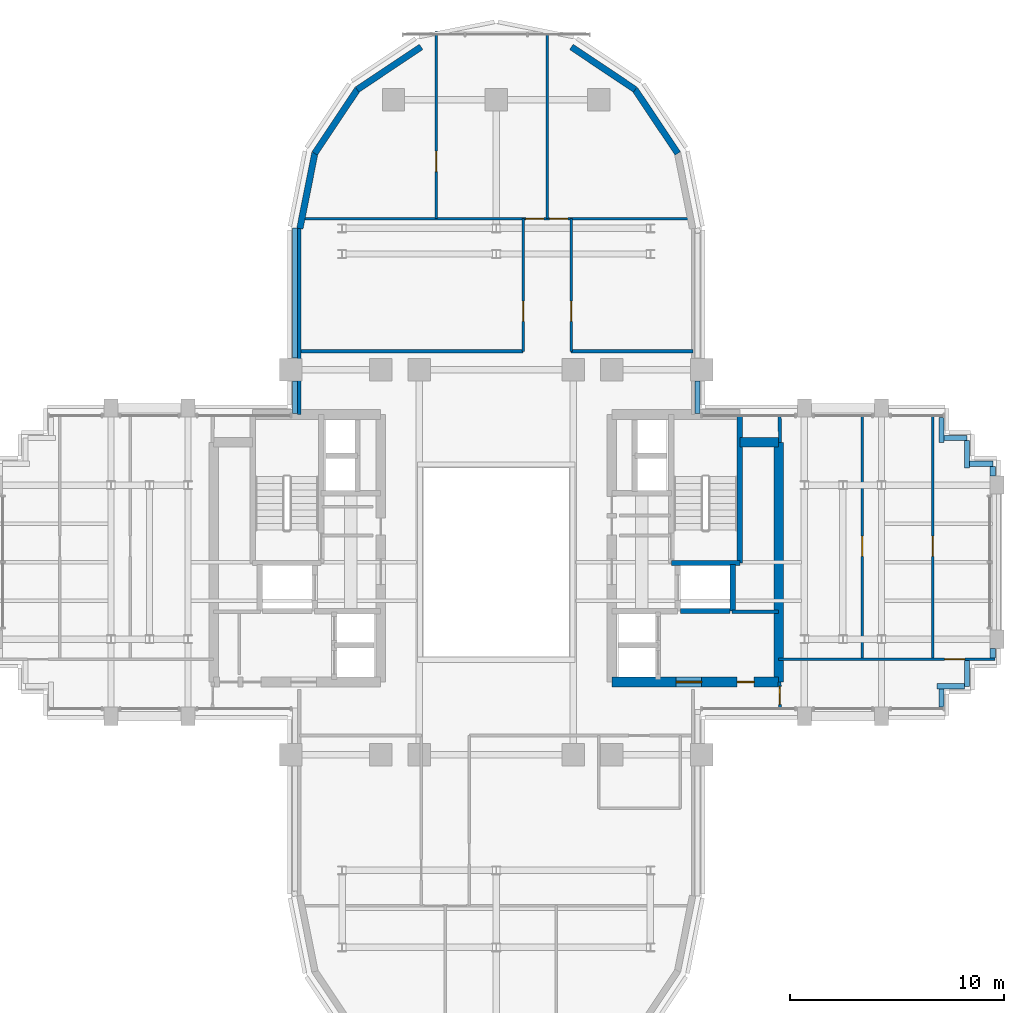
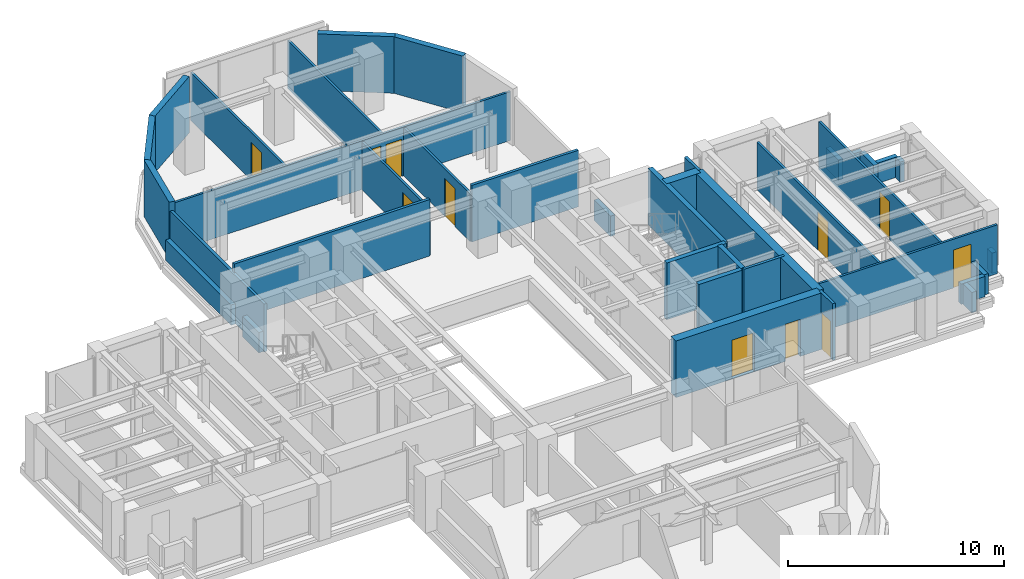
# One storey, part 10 of 14: 38 walls, 11 doors, 11 openings.
"""IFC4 building model written with IfcOpenShell, lengths in metres."""

from ifc_helpers import new_model, si_unit, direction, frame, frame_2d, origin, place, context, subcontext, project, spatial, rectangle, extrude, source, transform, mapped, material, layer, layer_set, type_object, element, fill, save


model = new_model("IFC4")

# Units and contexts
model_context = context("Model", 3, precision=1e-05, world=origin(), true_north=direction((0.0, 1.0)))
body_context = subcontext(model_context, "Body", "Model", "MODEL_VIEW")
ifc_project = project(units=[si_unit("LENGTHUNIT", "METRE"), si_unit("AREAUNIT", "SQUARE_METRE"), si_unit("VOLUMEUNIT", "CUBIC_METRE"), si_unit("PLANEANGLEUNIT", "RADIAN"), si_unit("MASSUNIT", "GRAM", prefix="KILO")], contexts=[model_context])

# Site, building, storey
site_placement = place(None, origin())
site = spatial("IfcSite", under=ifc_project, at=site_placement, CompositionType="ELEMENT")
building_placement = place(site_placement, origin())
building = spatial("IfcBuilding", under=site, at=building_placement, Name="Keilestroom Media Tower", CompositionType="ELEMENT")
storey_placement = place(building_placement, frame((0.0, 0.0, 124.39990234375)))
storey = spatial("IfcBuildingStorey", under=building, at=storey_placement, Name="L33", CompositionType="ELEMENT", Elevation=124.39990234375)

# Walls
ifc_material_1 = material(Name="Precast concrete C40/50", Category="concrete")
ifc_layer_1 = layer(ifc_material_1, 0.300048828125)
ifc_layer_set_1 = layer_set([ifc_layer_1], Name="Precast concrete C40/50")
wall_type_1 = type_object("IfcWallType", Name="Exterior-Masonry-Spandrel-Wall-300", PredefinedType="SOLIDWALL", material=ifc_layer_set_1)
wall_1_placement = place(storey_placement, frame((8.48193359375, 19.097412109375, 0.0), z_axis=(0.0, 0.0, 1.0), x_axis=(-0.555574187116, 0.831466970246, 0.0)))
element("IfcWall", 1, at=wall_1_placement, inside=storey, type_object=wall_type_1, Name="L33 Lobe Facet Precast Frame Wall 02", PredefinedType="SOLIDWALL", context=body_context, shape_type="SweptSolid", body=[
    extrude(rectangle(XDim=3.608642578125, YDim=0.300048828125, at=frame_2d((1.80419921875, 0.0))), origin(), (0.0, 0.0, 1.0), 3.2001953125),
])
for number, where, z_axis, x_axis, name in (
    (2, (6.497802734375, 22.0771484375, 0.0), (0.0, 0.0, 1.0), (-0.8314749531, 0.555562239868, 0.0), "L33 Lobe Facet Precast Frame Wall 03"),
    (3, (-3.510009765625, 24.073486328125, 0.0), (0.0, 0.0, 1.0), (-0.8314749531, -0.555562239868, 0.0), "L33 Lobe Facet Precast Frame Wall 04"),
):
    element("IfcWall", number, at=place(storey_placement, frame(where, z_axis=z_axis, x_axis=x_axis)), inside=storey, type_object=wall_type_1, Name=name, PredefinedType="SOLIDWALL", context=body_context, shape_type="SweptSolid", body=[
        extrude(rectangle(XDim=3.59326171875, YDim=0.300048828125, at=frame_2d((1.796630859375, 0.0))), origin(), (0.0, 0.0, 1.0), 3.2001953125),
    ])
for number, where, z_axis, x_axis, name in (
    (4, (-6.47705078125, 22.097900390625, 0.0), (0.0, 0.0, 1.0), (-0.555574187116, -0.831466970246, 0.0), "L33 Lobe Facet Precast Frame Wall 05"),
    (5, (-8.470703125, 19.12451171875, 0.0), (0.0, 0.0, 1.0), (-0.195114232679, -0.980780523974, 0.0), "L33 Lobe Facet Precast Frame Wall 06"),
):
    element("IfcWall", number, at=place(storey_placement, frame(where, z_axis=z_axis, x_axis=x_axis)), inside=storey, type_object=wall_type_1, Name=name, PredefinedType="SOLIDWALL", context=body_context, shape_type="SweptSolid", body=[
        extrude(rectangle(XDim=3.608642578125, YDim=0.300048828125, at=frame_2d((1.80419921875, 0.0))), origin(), (0.0, 0.0, 1.0), 3.2001953125),
    ])

# Wall, opening, door
ifc_material_2 = material(Name="Gypsum Plasterboard & Steel Stud", Category="steel")
ifc_layer_2 = layer(ifc_material_2, 0.1201171875)
ifc_layer_set_2 = layer_set([ifc_layer_2], Name="Gypsum Plasterboard & Steel Stud")
wall_type_2 = type_object("IfcWallType", Name="Interior-Partition-Wall-120", PredefinedType="PARTITIONING", material=ifc_layer_set_2)
wall_2_placement = place(storey_placement, frame((1.260009765625, 9.85009765625, 0.0), z_axis=(0.0, 0.0, 1.0), x_axis=(0.0, 1.0, 0.0)))
wall_2 = element("IfcWall", 6, at=wall_2_placement, inside=storey, type_object=wall_type_2, Name="L33 Interior Wall WP-L33-NL-SPW", PredefinedType="PARTITIONING", context=body_context, shape_type="SweptSolid", body=[
    extrude(rectangle(XDim=6.199951171875, YDim=0.1201171875, at=frame_2d((3.10009765625, 0.0))), origin(), (0.0, 0.0, 1.0), 2.7001953125),
])
opening_1_placement = place(wall_2_placement, frame((1.39990234375, 0.0, 0.0)))
opening_1 = element("IfcOpeningElement", 7, at=opening_1_placement, cuts=wall_2, Name="Opening DI-03", PredefinedType="OPENING", context=body_context, shape_type="SweptSolid", body=[
    extrude(rectangle(XDim=0.949951171875, YDim=2.14990234375, at=frame_2d((0.47509765625, 1.074951171875))), frame((0.0, 0.070068359375, 0.0), z_axis=(0.0, -1.0, 0.0), x_axis=(1.0, 0.0, 0.0)), (0.0, 0.0, 1.0), 0.14013671875),
])
ifc_material_3 = material(Name="Lacquered European Oak Leaf", Category="wood")
door_type_1 = type_object("IfcDoorType", Name="Interior-Room-And-Suite-Door-DI-03", OperationType="NOTDEFINED", PredefinedType="DOOR", material=ifc_material_3)
shared_shape_1 = source(origin(), body_context, "Body", "SweptSolid", [
    extrude(rectangle(XDim=0.949951171875, YDim=2.14990234375, at=frame_2d((0.47509765625, 1.074951171875))), frame((0.0, 0.02490234375, 0.0), z_axis=(0.0, -1.0, 0.0), x_axis=(1.0, 0.0, 0.0)), (0.0, 0.0, 1.0), 0.050048828125),
])
door_1_placement = place(opening_1_placement, origin())
door_1 = element("IfcDoor", 8, at=door_1_placement, inside=storey, type_object=door_type_1, Name="L33 Interior Door DI-L33-DNL-W1", OperationType="SINGLE_SWING_RIGHT", OverallHeight=2.14990234375, OverallWidth=0.949951171875, PredefinedType="DOOR", context=body_context, shape_type="MappedRepresentation", body=[
    mapped(shared_shape_1, transform((0.0, 0.0, 0.0), x_axis=(1.0, 0.0, 0.0), y_axis=(0.0, 1.0, 0.0), z_axis=(0.0, 0.0, 1.0), scale=1.0)),
])
fill(opening_1, door_1)

wall_3_placement = place(storey_placement, frame((3.5, 9.85009765625, 0.0), z_axis=(0.0, 0.0, 1.0), x_axis=(0.0, 1.0, 0.0)))
wall_3 = element("IfcWall", 9, at=wall_3_placement, inside=storey, type_object=wall_type_2, Name="L33 Interior Wall WP-L33-NL-SPE", PredefinedType="PARTITIONING", context=body_context, shape_type="SweptSolid", body=[
    extrude(rectangle(XDim=6.199951171875, YDim=0.1201171875, at=frame_2d((3.10009765625, 0.0))), origin(), (0.0, 0.0, 1.0), 2.7001953125),
])
opening_2_placement = place(wall_3_placement, frame((1.39990234375, 0.0, 0.0)))
opening_2 = element("IfcOpeningElement", 10, at=opening_2_placement, cuts=wall_3, Name="Opening DI-03", PredefinedType="OPENING", context=body_context, shape_type="SweptSolid", body=[
    extrude(rectangle(XDim=0.949951171875, YDim=2.14990234375, at=frame_2d((0.47509765625, 1.074951171875))), frame((0.0, 0.070068359375, 0.0), z_axis=(0.0, -1.0, 0.0), x_axis=(1.0, 0.0, 0.0)), (0.0, 0.0, 1.0), 0.14013671875),
])
door_2_placement = place(opening_2_placement, origin())
door_2 = element("IfcDoor", 11, at=door_2_placement, inside=storey, type_object=door_type_1, Name="L33 Interior Door DI-L33-DNL-E1", OperationType="SINGLE_SWING_LEFT", OverallHeight=2.14990234375, OverallWidth=0.949951171875, PredefinedType="DOOR", context=body_context, shape_type="MappedRepresentation", body=[
    mapped(shared_shape_1, transform((0.0, 0.0, 0.0), x_axis=(1.0, 0.0, 0.0), y_axis=(0.0, 1.0, 0.0), z_axis=(0.0, 0.0, 1.0), scale=1.0)),
])
fill(opening_2, door_2)

# Wall, openings, doors
wall_4_placement = place(storey_placement, frame((-9.159912109375, 16.050048828125, 0.0), z_axis=(0.0, 0.0, 1.0), x_axis=(1.0, 0.0, 0.0)))
wall_4 = element("IfcWall", 12, at=wall_4_placement, inside=storey, type_object=wall_type_2, Name="L33 Interior Wall WP-L33-NL-NTIPW", PredefinedType="PARTITIONING", context=body_context, shape_type="SweptSolid", body=[
    extrude(rectangle(XDim=18.31982421875, YDim=0.1201171875, at=frame_2d((9.159912109375, 0.0))), origin(), (0.0, 0.0, 1.0), 2.760009765625),
])
opening_3_placement = place(wall_4_placement, frame((10.5400390625, 0.0, 0.0)))
opening_3 = element("IfcOpeningElement", 13, at=opening_3_placement, cuts=wall_4, Name="Opening DI-05", PredefinedType="OPENING", context=body_context, shape_type="SweptSolid", body=[
    extrude(rectangle(XDim=0.85009765625, YDim=2.10009765625, at=frame_2d((0.425048828125, 1.050048828125))), frame((0.0, 0.070068359375, 0.0), z_axis=(0.0, -1.0, 0.0), x_axis=(1.0, 0.0, 0.0)), (0.0, 0.0, 1.0), 0.14013671875),
])
opening_4_placement = place(wall_4_placement, frame((11.659912109375, 0.0, 0.0)))
opening_4 = element("IfcOpeningElement", 14, at=opening_4_placement, cuts=wall_4, Name="Opening DI-05", PredefinedType="OPENING", context=body_context, shape_type="SweptSolid", body=[
    extrude(rectangle(XDim=0.85009765625, YDim=2.10009765625, at=frame_2d((0.425048828125, 1.050048828125))), frame((0.0, 0.070068359375, 0.0), z_axis=(0.0, -1.0, 0.0), x_axis=(1.0, 0.0, 0.0)), (0.0, 0.0, 1.0), 0.14013671875),
])
ifc_material_4 = material(Name="Moisture-Resistant Oak Leaf", Category="wood")
door_type_2 = type_object("IfcDoorType", Name="Interior-En-Suite-And-Cupboard-Door-DI-05", OperationType="NOTDEFINED", PredefinedType="DOOR", material=ifc_material_4)
shared_shape_2 = source(origin(), body_context, "Body", "SweptSolid", [
    extrude(rectangle(XDim=0.85009765625, YDim=2.10009765625, at=frame_2d((0.425048828125, 1.050048828125))), frame((0.0, 0.02490234375, 0.0), z_axis=(0.0, -1.0, 0.0), x_axis=(1.0, 0.0, 0.0)), (0.0, 0.0, 1.0), 0.050048828125),
])
door_3_placement = place(opening_3_placement, origin())
door_3 = element("IfcDoor", 15, at=door_3_placement, inside=storey, type_object=door_type_2, Name="L33 Interior Door DI-L33-DNL-TIP2", OperationType="SINGLE_SWING_LEFT", OverallHeight=2.10009765625, OverallWidth=0.85009765625, PredefinedType="DOOR", context=body_context, shape_type="MappedRepresentation", body=[
    mapped(shared_shape_2, transform((0.0, 0.0, 0.0), x_axis=(1.0, 0.0, 0.0), y_axis=(0.0, 1.0, 0.0), z_axis=(0.0, 0.0, 1.0), scale=1.0)),
])
fill(opening_3, door_3)
door_4_placement = place(opening_4_placement, origin())
door_4 = element("IfcDoor", 16, at=door_4_placement, inside=storey, type_object=door_type_2, Name="L33 Interior Door DI-L33-DNL-TIP3", OperationType="SINGLE_SWING_RIGHT", OverallHeight=2.10009765625, OverallWidth=0.85009765625, PredefinedType="DOOR", context=body_context, shape_type="MappedRepresentation", body=[
    mapped(shared_shape_2, transform((0.0, 0.0, 0.0), x_axis=(1.0, 0.0, 0.0), y_axis=(0.0, 1.0, 0.0), z_axis=(0.0, 0.0, 1.0), scale=1.0)),
])
fill(opening_4, door_4)

# Wall, opening, door
wall_5_placement = place(storey_placement, frame((-2.800048828125, 16.050048828125, 0.0), z_axis=(0.0, 0.0, 1.0), x_axis=(0.0, 1.0, 0.0)))
wall_5 = element("IfcWall", 17, at=wall_5_placement, inside=storey, type_object=wall_type_2, Name="L33 Interior Wall WP-L33-NL-TV1", PredefinedType="PARTITIONING", context=body_context, shape_type="SweptSolid", body=[
    extrude(rectangle(XDim=8.77001953125, YDim=0.1201171875, at=frame_2d((4.385009765625, 0.0))), origin(), (0.0, 0.0, 1.0), 2.7001953125),
])
opening_5_placement = place(wall_5_placement, frame((2.199951171875, 0.0, 0.0)))
opening_5 = element("IfcOpeningElement", 18, at=opening_5_placement, cuts=wall_5, Name="Opening DI-03", PredefinedType="OPENING", context=body_context, shape_type="SweptSolid", body=[
    extrude(rectangle(XDim=0.949951171875, YDim=2.14990234375, at=frame_2d((0.47509765625, 1.074951171875))), frame((0.0, 0.070068359375, 0.0), z_axis=(0.0, -1.0, 0.0), x_axis=(1.0, 0.0, 0.0)), (0.0, 0.0, 1.0), 0.14013671875),
])
door_5_placement = place(opening_5_placement, origin())
door_5 = element("IfcDoor", 19, at=door_5_placement, inside=storey, type_object=door_type_1, Name="L33 Interior Door DI-L33-DNL-TIP1", OperationType="SINGLE_SWING_LEFT", OverallHeight=2.14990234375, OverallWidth=0.949951171875, PredefinedType="DOOR", context=body_context, shape_type="MappedRepresentation", body=[
    mapped(shared_shape_1, transform((0.0, 0.0, 0.0), x_axis=(1.0, 0.0, 0.0), y_axis=(0.0, 1.0, 0.0), z_axis=(0.0, 0.0, 1.0), scale=1.0)),
])
fill(opening_5, door_5)

# Wall
wall_6_placement = place(storey_placement, frame((2.3798828125, 16.050048828125, 0.0), z_axis=(0.0, 0.0, 1.0), x_axis=(0.0, 1.0, 0.0)))
element("IfcWall", 20, at=wall_6_placement, inside=storey, type_object=wall_type_2, Name="L33 Interior Wall WP-L33-NL-TV2", PredefinedType="PARTITIONING", context=body_context, shape_type="SweptSolid", body=[
    extrude(rectangle(XDim=8.77001953125, YDim=0.1201171875, at=frame_2d((4.385009765625, 0.0))), origin(), (0.0, 0.0, 1.0), 2.7001953125),
])

# Wall, opening, door
wall_7_placement = place(storey_placement, frame((13.199951171875, -4.530029296875, 0.0), z_axis=(0.0, 0.0, 1.0), x_axis=(1.0, 0.0, 0.0)))
wall_7 = element("IfcWall", 21, at=wall_7_placement, inside=storey, type_object=wall_type_2, Name="L33 Interior Wall WP-L33-EA-CN", PredefinedType="PARTITIONING", context=body_context, shape_type="SweptSolid", body=[
    extrude(rectangle(XDim=10.10009765625, YDim=0.1201171875, at=frame_2d((5.050048828125, 0.0))), origin(), (0.0, 0.0, 1.0), 2.760009765625),
])
opening_6_placement = place(wall_7_placement, frame((7.75, 0.0, 0.0)))
opening_6 = element("IfcOpeningElement", 22, at=opening_6_placement, cuts=wall_7, Name="Opening DI-03", PredefinedType="OPENING", context=body_context, shape_type="SweptSolid", body=[
    extrude(rectangle(XDim=0.949951171875, YDim=2.14990234375, at=frame_2d((0.47509765625, 1.074951171875))), frame((0.0, 0.070068359375, 0.0), z_axis=(0.0, -1.0, 0.0), x_axis=(1.0, 0.0, 0.0)), (0.0, 0.0, 1.0), 0.14013671875),
])
door_6_placement = place(opening_6_placement, origin())
door_6 = element("IfcDoor", 23, at=door_6_placement, inside=storey, type_object=door_type_1, Name="L33 Interior Door DI-L33-DEA-RN3", OperationType="SINGLE_SWING_LEFT", OverallHeight=2.14990234375, OverallWidth=0.949951171875, PredefinedType="DOOR", context=body_context, shape_type="MappedRepresentation", body=[
    mapped(shared_shape_1, transform((0.0, 0.0, 0.0), x_axis=(1.0, 0.0, 0.0), y_axis=(0.0, 1.0, 0.0), z_axis=(0.0, 0.0, 1.0), scale=1.0)),
])
fill(opening_6, door_6)

wall_8_placement = place(storey_placement, frame((17.10009765625, -4.530029296875, 0.0), z_axis=(0.0, 0.0, 1.0), x_axis=(0.0, 1.0, 0.0)))
wall_8 = element("IfcWall", 24, at=wall_8_placement, inside=storey, type_object=wall_type_2, Name="L33 Interior Wall WP-L33-EA-VM1", PredefinedType="PARTITIONING", context=body_context, shape_type="SweptSolid", body=[
    extrude(rectangle(XDim=11.380126953125, YDim=0.1201171875, at=frame_2d((5.68994140625, 0.0))), origin(), (0.0, 0.0, 1.0), 2.7001953125),
])
opening_7_placement = place(wall_8_placement, frame((4.800048828125, 0.0, 0.0)))
opening_7 = element("IfcOpeningElement", 25, at=opening_7_placement, cuts=wall_8, Name="Opening DI-03", PredefinedType="OPENING", context=body_context, shape_type="SweptSolid", body=[
    extrude(rectangle(XDim=0.949951171875, YDim=2.14990234375, at=frame_2d((0.47509765625, 1.074951171875))), frame((0.0, 0.070068359375, 0.0), z_axis=(0.0, -1.0, 0.0), x_axis=(1.0, 0.0, 0.0)), (0.0, 0.0, 1.0), 0.14013671875),
])
door_7_placement = place(opening_7_placement, origin())
door_7 = element("IfcDoor", 26, at=door_7_placement, inside=storey, type_object=door_type_1, Name="L33 Interior Door DI-L33-DEA-RN1", OperationType="SINGLE_SWING_LEFT", OverallHeight=2.14990234375, OverallWidth=0.949951171875, PredefinedType="DOOR", context=body_context, shape_type="MappedRepresentation", body=[
    mapped(shared_shape_1, transform((0.0, 0.0, 0.0), x_axis=(1.0, 0.0, 0.0), y_axis=(0.0, 1.0, 0.0), z_axis=(0.0, 0.0, 1.0), scale=1.0)),
])
fill(opening_7, door_7)

wall_9_placement = place(storey_placement, frame((20.39990234375, -4.530029296875, 0.0), z_axis=(0.0, 0.0, 1.0), x_axis=(0.0, 1.0, 0.0)))
wall_9 = element("IfcWall", 27, at=wall_9_placement, inside=storey, type_object=wall_type_2, Name="L33 Interior Wall WP-L33-EA-VM2", PredefinedType="PARTITIONING", context=body_context, shape_type="SweptSolid", body=[
    extrude(rectangle(XDim=11.380126953125, YDim=0.1201171875, at=frame_2d((5.68994140625, 0.0))), origin(), (0.0, 0.0, 1.0), 2.7001953125),
])
opening_8_placement = place(wall_9_placement, frame((4.800048828125, 0.0, 0.0)))
opening_8 = element("IfcOpeningElement", 28, at=opening_8_placement, cuts=wall_9, Name="Opening DI-03", PredefinedType="OPENING", context=body_context, shape_type="SweptSolid", body=[
    extrude(rectangle(XDim=0.949951171875, YDim=2.14990234375, at=frame_2d((0.47509765625, 1.074951171875))), frame((0.0, 0.070068359375, 0.0), z_axis=(0.0, -1.0, 0.0), x_axis=(1.0, 0.0, 0.0)), (0.0, 0.0, 1.0), 0.14013671875),
])
door_8_placement = place(opening_8_placement, origin())
door_8 = element("IfcDoor", 29, at=door_8_placement, inside=storey, type_object=door_type_1, Name="L33 Interior Door DI-L33-DEA-RN2", OperationType="SINGLE_SWING_RIGHT", OverallHeight=2.14990234375, OverallWidth=0.949951171875, PredefinedType="DOOR", context=body_context, shape_type="MappedRepresentation", body=[
    mapped(shared_shape_1, transform((0.0, 0.0, 0.0), x_axis=(1.0, 0.0, 0.0), y_axis=(0.0, 1.0, 0.0), z_axis=(0.0, 0.0, 1.0), scale=1.0)),
])
fill(opening_8, door_8)

# Walls
ifc_layer_3 = layer(ifc_material_2, 0.14990234375)
ifc_layer_set_3 = layer_set([ifc_layer_3], Name="Gypsum Plasterboard & Steel Stud")
wall_type_3 = type_object("IfcWallType", Name="Interior-Partition-Wall-150", PredefinedType="PARTITIONING", material=ifc_layer_set_3)
wall_10_placement = place(storey_placement, frame((11.02001953125, -2.320068359375, 0.0), z_axis=(0.0, 0.0, 1.0), x_axis=(1.0, 0.0, 0.0)))
element("IfcWall", 30, at=wall_10_placement, inside=storey, type_object=wall_type_3, Name="L33 Interior Wall WP-L33-RECLE-N", PredefinedType="PARTITIONING", context=body_context, shape_type="SweptSolid", body=[
    extrude(rectangle(XDim=2.179931640625, YDim=0.14990234375, at=frame_2d((1.08984375, 0.0))), origin(), (0.0, 0.0, 1.0), 3.2001953125),
])
wall_11_placement = place(storey_placement, frame((-9.199951171875, 6.89990234375, 0.0), z_axis=(0.0, 0.0, 1.0), x_axis=(0.0, 1.0, 0.0)))
element("IfcWall", 31, at=wall_11_placement, inside=storey, type_object=wall_type_3, Name="L33 Interior Wall WP-L33-NL-CHKW", PredefinedType="PARTITIONING", context=body_context, shape_type="SweptSolid", body=[
    extrude(rectangle(XDim=8.780029296875, YDim=0.14990234375, at=frame_2d((4.39013671875, 0.0))), origin(), (0.0, 0.0, 1.0), 2.7001953125),
])
wall_12_placement = place(storey_placement, frame((-9.199951171875, 9.85009765625, 0.0), z_axis=(0.0, 0.0, 1.0), x_axis=(1.0, 0.0, 0.0)))
element("IfcWall", 32, at=wall_12_placement, inside=storey, type_object=wall_type_3, Name="L33 Interior Wall WP-L33-NL-BASE-W", PredefinedType="PARTITIONING", context=body_context, shape_type="SweptSolid", body=[
    extrude(rectangle(XDim=10.4599609375, YDim=0.14990234375, at=frame_2d((5.22998046875, 0.0))), origin(), (0.0, 0.0, 1.0), 3.2001953125),
])
wall_13_placement = place(storey_placement, frame((3.5, 9.85009765625, 0.0), z_axis=(0.0, 0.0, 1.0), x_axis=(1.0, 0.0, 0.0)))
element("IfcWall", 33, at=wall_13_placement, inside=storey, type_object=wall_type_3, Name="L33 Interior Wall WP-L33-NL-BASE-E", PredefinedType="PARTITIONING", context=body_context, shape_type="SweptSolid", body=[
    extrude(rectangle(XDim=5.699951171875, YDim=0.14990234375, at=frame_2d((2.85009765625, 0.0))), origin(), (0.0, 0.0, 1.0), 3.2001953125),
])
wall_14_placement = place(storey_placement, frame((13.260009765625, 5.60009765625, 0.0), z_axis=(0.0, 0.0, 1.0), x_axis=(-0.016013571389, 0.999871774545, 0.0)))
element("IfcWall", 34, at=wall_14_placement, inside=storey, type_object=wall_type_3, Name="L33 Interior Wall WP-L33-EA-ENTN", PredefinedType="PARTITIONING", context=body_context, shape_type="SweptSolid", body=[
    extrude(rectangle(XDim=1.250244140625, YDim=0.14990234375, at=frame_2d((0.625, 0.0))), origin(), (0.0, 0.0, 1.0), 3.2001953125),
])

# Wall, opening, door
wall_15_placement = place(storey_placement, frame((13.260009765625, -6.85009765625, 0.0), z_axis=(0.0, 0.0, 1.0), x_axis=(-0.016013571389, 0.999871774545, 0.0)))
wall_15 = element("IfcWall", 35, at=wall_15_placement, inside=storey, type_object=wall_type_3, Name="L33 Interior Wall WP-L33-EA-ENTS", PredefinedType="PARTITIONING", context=body_context, shape_type="SweptSolid", body=[
    extrude(rectangle(XDim=1.250244140625, YDim=0.14990234375, at=frame_2d((0.625, 0.0))), origin(), (0.0, 0.0, 1.0), 3.2001953125),
])
opening_9_placement = place(wall_15_placement, frame((0.199951171875, 0.0, 0.0)))
opening_9 = element("IfcOpeningElement", 36, at=opening_9_placement, cuts=wall_15, Name="Opening DI-05", PredefinedType="OPENING", context=body_context, shape_type="SweptSolid", body=[
    extrude(rectangle(XDim=0.85009765625, YDim=2.10009765625, at=frame_2d((0.425048828125, 1.050048828125))), frame((0.0, 0.0849609375, 0.0), z_axis=(0.0, -1.0, 0.0), x_axis=(1.0, 0.0, 0.0)), (0.0, 0.0, 1.0), 0.169921875),
])
door_9_placement = place(opening_9_placement, origin())
door_9 = element("IfcDoor", 37, at=door_9_placement, inside=storey, type_object=door_type_2, Name="L33 Interior Door DI-L33-DEA-ENTS", OperationType="SINGLE_SWING_LEFT", OverallHeight=2.10009765625, OverallWidth=0.85009765625, PredefinedType="DOOR", context=body_context, shape_type="MappedRepresentation", body=[
    mapped(shared_shape_2, transform((0.0, 0.0, 0.0), x_axis=(1.0, 0.0, 0.0), y_axis=(0.0, 1.0, 0.0), z_axis=(0.0, 0.0, 1.0), scale=1.0)),
])
fill(opening_9, door_9)

# Walls
ifc_material_5 = material(Name="Concrete C55/67", Category="concrete")
ifc_layer_4 = layer(ifc_material_5, 0.449951171875)
ifc_layer_set_4 = layer_set([ifc_layer_4], Name="Concrete C55/67")
wall_type_4 = type_object("IfcWallType", Name="Reinforced-Concrete-Core-Shear-Wall-450", PredefinedType="SHEAR", material=ifc_layer_set_4)
wall_16_placement = place(storey_placement, frame((13.199951171875, -5.60009765625, 0.0), z_axis=(0.0, 0.0, 1.0), x_axis=(0.0, 1.0, 0.0)))
element("IfcWall", 38, at=wall_16_placement, inside=storey, type_object=wall_type_4, Name="L33 Core Shear Wall WL-L33-CORE-E-OUT", PredefinedType="SHEAR", context=body_context, shape_type="SweptSolid", body=[
    extrude(rectangle(XDim=11.2001953125, YDim=0.449951171875, at=frame_2d((5.60009765625, 0.0))), origin(), (0.0, 0.0, 1.0), 3.2001953125),
])
wall_17_placement = place(storey_placement, frame((11.381103515625, 5.60009765625, 0.0), z_axis=(0.0, 0.0, 1.0), x_axis=(1.0, 0.0, 0.0)))
element("IfcWall", 39, at=wall_17_placement, inside=storey, type_object=wall_type_4, Name="L33 Core Shear Wall WL-L33-CNE-N", PredefinedType="SHEAR", context=body_context, shape_type="SweptSolid", body=[
    extrude(rectangle(XDim=1.81884765625, YDim=0.449951171875, at=frame_2d((0.909423828125, 0.0))), origin(), (0.0, 0.0, 1.0), 3.2001953125),
])

# Wall, openings, doors
wall_18_placement = place(storey_placement, frame((5.39990234375, -5.60009765625, 0.0), z_axis=(0.0, 0.0, 1.0), x_axis=(1.0, 0.0, 0.0)))
wall_18 = element("IfcWall", 40, at=wall_18_placement, inside=storey, type_object=wall_type_4, Name="L33 Core Shear Wall WL-L33-CORE-E-S", PredefinedType="SHEAR", context=body_context, shape_type="SweptSolid", body=[
    extrude(rectangle(XDim=7.800048828125, YDim=0.449951171875, at=frame_2d((3.89990234375, 0.0))), origin(), (0.0, 0.0, 1.0), 3.2001953125),
])
opening_10_placement = place(wall_18_placement, frame((3.0, 0.0, 0.0)))
opening_10 = element("IfcOpeningElement", 41, at=opening_10_placement, cuts=wall_18, Name="Opening DI-02", PredefinedType="OPENING", context=body_context, shape_type="SweptSolid", body=[
    extrude(rectangle(XDim=1.199951171875, YDim=2.199951171875, at=frame_2d((0.60009765625, 1.10009765625))), frame((0.0, 0.23486328125, 0.0), z_axis=(0.0, -1.0, 0.0), x_axis=(1.0, 0.0, 0.0)), (0.0, 0.0, 1.0), 0.469970703125),
])
opening_11_placement = place(wall_18_placement, frame((5.85009765625, 0.0, 0.0)))
opening_11 = element("IfcOpeningElement", 42, at=opening_11_placement, cuts=wall_18, Name="Opening DI-06", PredefinedType="OPENING", context=body_context, shape_type="SweptSolid", body=[
    extrude(rectangle(XDim=0.800048828125, YDim=2.10009765625, at=frame_2d((0.39990234375, 1.050048828125))), frame((0.0, 0.23486328125, 0.0), z_axis=(0.0, -1.0, 0.0), x_axis=(1.0, 0.0, 0.0)), (0.0, 0.0, 1.0), 0.469970703125),
])
ifc_material_6 = material(Name="Powder-Coated Steel Fire Leaf", Category="steel")
door_type_3 = type_object("IfcDoorType", Name="Interior-Compartment-Fire-Door-DI-02", OperationType="NOTDEFINED", PredefinedType="DOOR", material=ifc_material_6)
shared_shape_3 = source(origin(), body_context, "Body", "SweptSolid", [
    extrude(rectangle(XDim=1.199951171875, YDim=2.199951171875, at=frame_2d((0.60009765625, 1.10009765625))), frame((0.0, 0.02490234375, 0.0), z_axis=(0.0, -1.0, 0.0), x_axis=(1.0, 0.0, 0.0)), (0.0, 0.0, 1.0), 0.050048828125),
])
door_10_placement = place(opening_10_placement, origin())
door_10 = element("IfcDoor", 43, at=door_10_placement, inside=storey, type_object=door_type_3, Name="L33 E Passenger Lift Lobby Door", OperationType="SINGLE_SWING_RIGHT", OverallHeight=2.199951171875, OverallWidth=1.199951171875, PredefinedType="DOOR", context=body_context, shape_type="MappedRepresentation", body=[
    mapped(shared_shape_3, transform((0.0, 0.0, 0.0), x_axis=(1.0, 0.0, 0.0), y_axis=(0.0, 1.0, 0.0), z_axis=(0.0, 0.0, 1.0), scale=1.0)),
])
fill(opening_10, door_10)
ifc_material_7 = material(Name="Powder-Coated Steel Service Leaf", Category="steel")
door_type_4 = type_object("IfcDoorType", Name="Interior-Riser-Access-Door-DI-06", OperationType="NOTDEFINED", PredefinedType="DOOR", material=ifc_material_7)
shared_shape_4 = source(origin(), body_context, "Body", "SweptSolid", [
    extrude(rectangle(XDim=0.800048828125, YDim=2.10009765625, at=frame_2d((0.39990234375, 1.050048828125))), frame((0.0, 0.02490234375, 0.0), z_axis=(0.0, -1.0, 0.0), x_axis=(1.0, 0.0, 0.0)), (0.0, 0.0, 1.0), 0.050048828125),
])
door_11_placement = place(opening_11_placement, origin())
door_11 = element("IfcDoor", 44, at=door_11_placement, inside=storey, type_object=door_type_4, Name="L33 Reclaimed East Core Room Door", OperationType="SINGLE_SWING_RIGHT", OverallHeight=2.10009765625, OverallWidth=0.800048828125, PredefinedType="DOOR", context=body_context, shape_type="MappedRepresentation", body=[
    mapped(shared_shape_4, transform((0.0, 0.0, 0.0), x_axis=(1.0, 0.0, 0.0), y_axis=(0.0, 1.0, 0.0), z_axis=(0.0, 0.0, 1.0), scale=1.0)),
])
fill(opening_11, door_11)

# Walls
ifc_material_8 = material(Name="Concrete C50/60", Category="concrete")
ifc_layer_5 = layer(ifc_material_8, 0.25)
ifc_layer_set_5 = layer_set([ifc_layer_5], Name="Concrete C50/60")
wall_type_5 = type_object("IfcWallType", Name="Reinforced-Concrete-Shaft-Wall-250", PredefinedType="SOLIDWALL", material=ifc_layer_set_5)
wall_19_placement = place(storey_placement, frame((11.381103515625, -0.041015625, 0.0), z_axis=(0.0, 0.0, 1.0), x_axis=(0.0, 1.0, 0.0)))
element("IfcWall", 45, at=wall_19_placement, inside=storey, type_object=wall_type_5, Name="L33 Core Shear Wall WL-L33-STW-E-FAR", PredefinedType="SOLIDWALL", context=body_context, shape_type="SweptSolid", body=[
    extrude(rectangle(XDim=6.94091796875, YDim=0.25, at=frame_2d((3.470458984375, 0.0))), origin(), (0.0, 0.0, 1.0), 3.2001953125),
])
wall_20_placement = place(storey_placement, frame((8.178955078125, -0.041015625, 0.0), z_axis=(0.0, 0.0, 1.0), x_axis=(1.0, 0.0, 0.0)))
element("IfcWall", 46, at=wall_20_placement, inside=storey, type_object=wall_type_5, Name="L33 Core Shear Wall WL-L33-STW-E-S", PredefinedType="SOLIDWALL", context=body_context, shape_type="SweptSolid", body=[
    extrude(rectangle(XDim=3.2021484375, YDim=0.25, at=frame_2d((1.60107421875, 0.0))), origin(), (0.0, 0.0, 1.0), 3.2001953125),
])
wall_21_placement = place(storey_placement, frame((11.050048828125, -2.280029296875, 0.0), z_axis=(0.0, 0.0, 1.0), x_axis=(0.0, 1.0, 0.0)))
element("IfcWall", 47, at=wall_21_placement, inside=storey, type_object=wall_type_5, Name="L33 Core Shear Wall WL-L33-LSH-FFL-2-E", PredefinedType="SOLIDWALL", context=body_context, shape_type="SweptSolid", body=[
    extrude(rectangle(XDim=2.179931640625, YDim=0.25, at=frame_2d((1.08984375, 0.0))), origin(), (0.0, 0.0, 1.0), 3.2001953125),
])
wall_22_placement = place(storey_placement, frame((8.60888671875, -2.280029296875, 0.0), z_axis=(0.0, 0.0, 1.0), x_axis=(1.0, 0.0, 0.0)))
element("IfcWall", 48, at=wall_22_placement, inside=storey, type_object=wall_type_5, Name="L33 Core Shear Wall WL-L33-LSH-FFL-2-S", PredefinedType="SOLIDWALL", context=body_context, shape_type="SweptSolid", body=[
    extrude(rectangle(XDim=2.31201171875, YDim=0.25, at=frame_2d((1.156005859375, 0.0))), origin(), (0.0, 0.0, 1.0), 3.2001953125),
])
ifc_layer_6 = layer(ifc_material_1, 0.239990234375)
ifc_layer_set_6 = layer_set([ifc_layer_6], Name="Precast concrete C40/50")
wall_type_6 = type_object("IfcWallType", Name="Roof-And-Terrace-Parapet-Wall-240", PredefinedType="PARAPET", material=ifc_layer_set_6)
wall_23_placement = place(storey_placement, frame((22.0, -4.593017578125, 0.0), z_axis=(0.0, 0.0, 1.0), x_axis=(0.0, -1.0, 0.0)))
element("IfcWall", 49, at=wall_23_placement, inside=storey, type_object=wall_type_6, Name="L33 Perimeter Edge Parapet Wall 01", PredefinedType="PARAPET", context=body_context, shape_type="SweptSolid", body=[
    extrude(rectangle(XDim=1.20703125, YDim=0.239990234375, at=frame_2d((0.603515625, 0.0))), origin(), (0.0, 0.0, 1.0), 1.150146484375),
])
wall_24_placement = place(storey_placement, frame((21.876953125, -5.800048828125, 0.0), z_axis=(0.0, 0.0, 1.0), x_axis=(-1.0, 0.0, 0.0)))
element("IfcWall", 50, at=wall_24_placement, inside=storey, type_object=wall_type_6, Name="L33 Perimeter Edge Parapet Wall 02", PredefinedType="PARAPET", context=body_context, shape_type="SweptSolid", body=[
    extrude(rectangle(XDim=1.27685546875, YDim=0.239990234375, at=frame_2d((0.638427734375, 0.0))), origin(), (0.0, 0.0, 1.0), 1.150146484375),
])
wall_25_placement = place(storey_placement, frame((20.800048828125, -5.923095703125, 0.0), z_axis=(0.0, 0.0, 1.0), x_axis=(0.0, -1.0, 0.0)))
element("IfcWall", 51, at=wall_25_placement, inside=storey, type_object=wall_type_6, Name="L33 Perimeter Edge Parapet Wall 03", PredefinedType="PARAPET", context=body_context, shape_type="SweptSolid", body=[
    extrude(rectangle(XDim=0.833984375, YDim=0.239990234375, at=frame_2d((0.4169921875, 0.0))), origin(), (0.0, 0.0, 1.0), 1.150146484375),
])
wall_26_placement = place(storey_placement, frame((-9.39990234375, 6.952880859375, 0.0), z_axis=(0.0, 0.0, 1.0), x_axis=(0.0, 1.0, 0.0)))
element("IfcWall", 52, at=wall_26_placement, inside=storey, type_object=wall_type_6, Name="L33 Perimeter Edge Parapet Wall 19", PredefinedType="PARAPET", context=body_context, shape_type="SweptSolid", body=[
    extrude(rectangle(XDim=1.51904296875, YDim=0.239990234375, at=frame_2d((0.759521484375, 0.0))), origin(), (0.0, 0.0, 1.0), 1.150146484375),
])
wall_27_placement = place(storey_placement, frame((-9.39990234375, 9.528076171875, 0.0), z_axis=(0.0, 0.0, 1.0), x_axis=(0.0, 1.0, 0.0)))
element("IfcWall", 53, at=wall_27_placement, inside=storey, type_object=wall_type_6, Name="L33 Perimeter Edge Parapet Wall 20", PredefinedType="PARAPET", context=body_context, shape_type="SweptSolid", body=[
    extrude(rectangle(XDim=6.07470703125, YDim=0.239990234375, at=frame_2d((3.037353515625, 0.0))), origin(), (0.0, 0.0, 1.0), 1.150146484375),
])
wall_28_placement = place(storey_placement, frame((9.39990234375, 8.471923828125, 0.0), z_axis=(0.0, 0.0, 1.0), x_axis=(0.0, -1.0, 0.0)))
element("IfcWall", 54, at=wall_28_placement, inside=storey, type_object=wall_type_6, Name="L33 Perimeter Edge Parapet Wall 23", PredefinedType="PARAPET", context=body_context, shape_type="SweptSolid", body=[
    extrude(rectangle(XDim=1.51904296875, YDim=0.239990234375, at=frame_2d((0.759521484375, 0.0))), origin(), (0.0, 0.0, 1.0), 1.150146484375),
])
wall_29_placement = place(storey_placement, frame((20.800048828125, 6.757080078125, 0.0), z_axis=(0.0, 0.0, 1.0), x_axis=(0.0, -1.0, 0.0)))
element("IfcWall", 55, at=wall_29_placement, inside=storey, type_object=wall_type_6, Name="L33 Perimeter Edge Parapet Wall 24", PredefinedType="PARAPET", context=body_context, shape_type="SweptSolid", body=[
    extrude(rectangle(XDim=1.156982421875, YDim=0.239990234375, at=frame_2d((0.57861328125, 0.0))), origin(), (0.0, 0.0, 1.0), 1.150146484375),
])
wall_30_placement = place(storey_placement, frame((20.923095703125, 5.800048828125, 0.0), z_axis=(0.0, 0.0, 1.0), x_axis=(1.0, 0.0, 0.0)))
element("IfcWall", 56, at=wall_30_placement, inside=storey, type_object=wall_type_6, Name="L33 Perimeter Edge Parapet Wall 25", PredefinedType="PARAPET", context=body_context, shape_type="SweptSolid", body=[
    extrude(rectangle(XDim=1.076904296875, YDim=0.239990234375, at=frame_2d((0.53857421875, 0.0))), origin(), (0.0, 0.0, 1.0), 1.150146484375),
])
wall_31_placement = place(storey_placement, frame((22.0, 5.677001953125, 0.0), z_axis=(0.0, 0.0, 1.0), x_axis=(0.0, -1.0, 0.0)))
element("IfcWall", 57, at=wall_31_placement, inside=storey, type_object=wall_type_6, Name="L33 Perimeter Edge Parapet Wall 26", PredefinedType="PARAPET", context=body_context, shape_type="SweptSolid", body=[
    extrude(rectangle(XDim=1.277099609375, YDim=0.239990234375, at=frame_2d((0.638671875, 0.0))), origin(), (0.0, 0.0, 1.0), 1.150146484375),
])
wall_32_placement = place(storey_placement, frame((22.123046875, 4.60009765625, 0.0), z_axis=(0.0, 0.0, 1.0), x_axis=(1.0, 0.0, 0.0)))
element("IfcWall", 58, at=wall_32_placement, inside=storey, type_object=wall_type_6, Name="L33 Perimeter Edge Parapet Wall 27", PredefinedType="PARAPET", context=body_context, shape_type="SweptSolid", body=[
    extrude(rectangle(XDim=1.076904296875, YDim=0.239990234375, at=frame_2d((0.53857421875, 0.0))), origin(), (0.0, 0.0, 1.0), 1.150146484375),
])
wall_33_placement = place(storey_placement, frame((23.199951171875, 4.47705078125, 0.0), z_axis=(0.0, 0.0, 1.0), x_axis=(0.0, -1.0, 0.0)))
element("IfcWall", 59, at=wall_33_placement, inside=storey, type_object=wall_type_6, Name="L33 Perimeter Edge Parapet Wall 28", PredefinedType="PARAPET", context=body_context, shape_type="SweptSolid", body=[
    extrude(rectangle(XDim=0.448974609375, YDim=0.239990234375, at=frame_2d((0.224609375, 0.0))), origin(), (0.0, 0.0, 1.0), 1.150146484375),
])
wall_34_placement = place(storey_placement, frame((23.199951171875, -4.028076171875, 0.0), z_axis=(0.0, 0.0, 1.0), x_axis=(0.0, -1.0, 0.0)))
element("IfcWall", 60, at=wall_34_placement, inside=storey, type_object=wall_type_6, Name="L33 Perimeter Edge Parapet Wall 29", PredefinedType="PARAPET", context=body_context, shape_type="SweptSolid", body=[
    extrude(rectangle(XDim=0.43896484375, YDim=0.239990234375, at=frame_2d((0.219482421875, 0.0))), origin(), (0.0, 0.0, 1.0), 1.150146484375),
])

save(model, "model.ifc")
